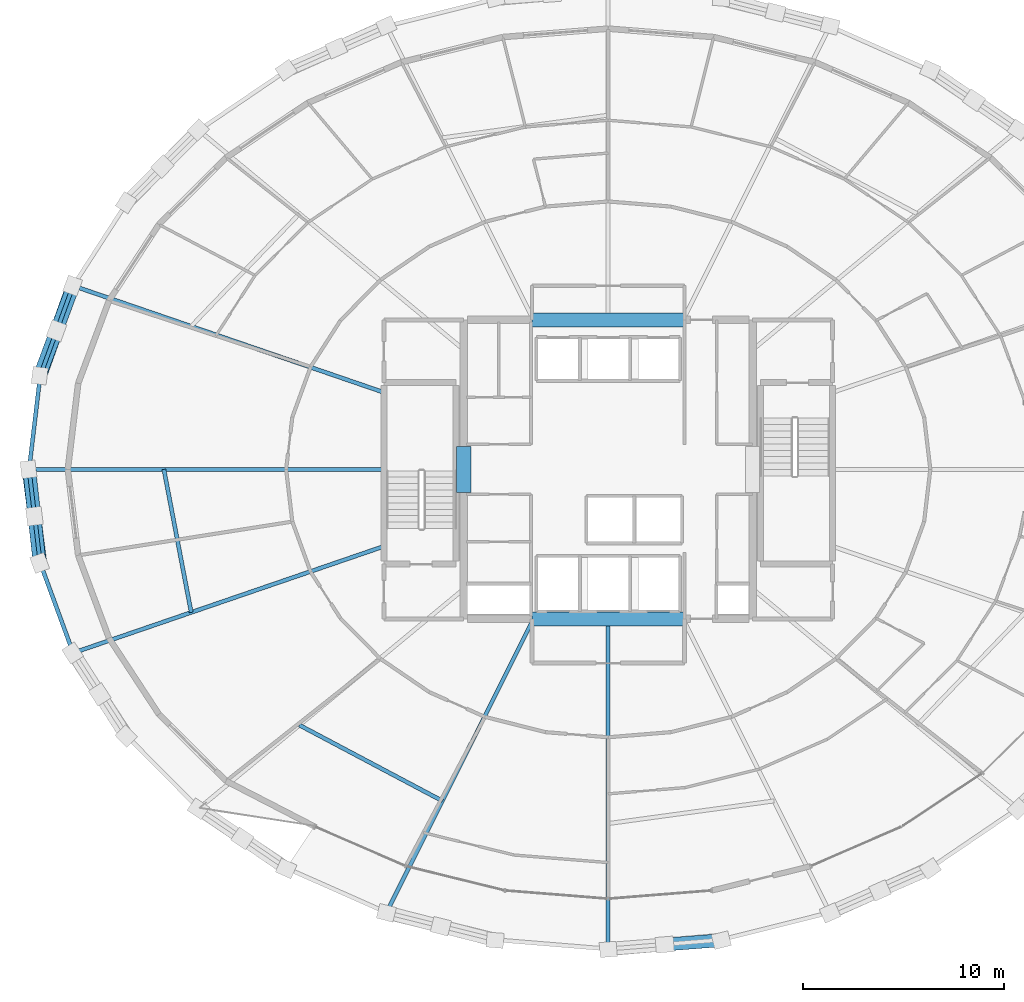
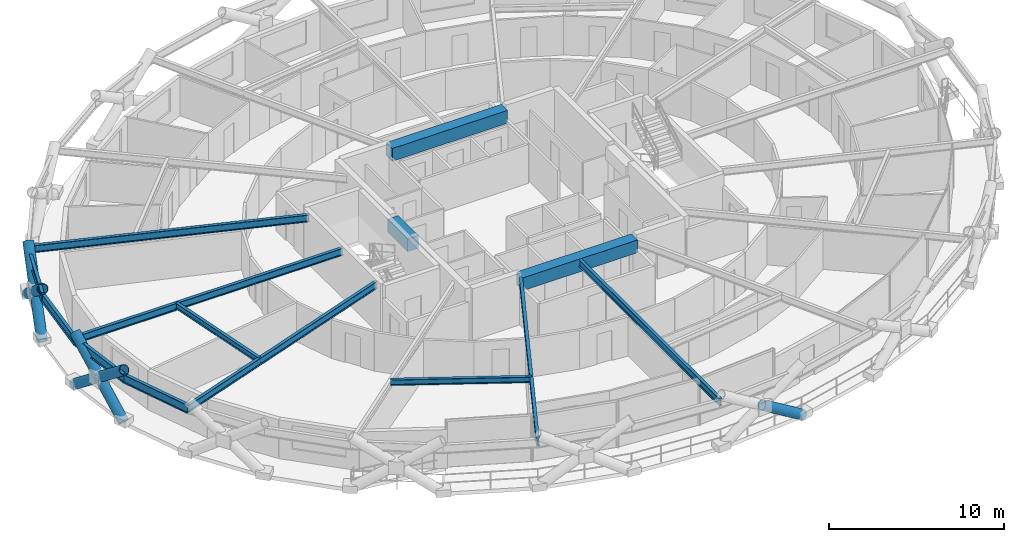
# One storey, part 5 of 23: 14 beams, 7 members.
"""IFC4 building model written with IfcOpenShell, lengths in metres."""

from ifc_helpers import new_model, si_unit, direction, frame, origin, origin_2d, place, context, subcontext, project, spatial, rectangle, hollow_circle, i_section, extrude, material, material_profile, profile_set, type_object, element, save


model = new_model("IFC4")

# Units and contexts
model_context = context("Model", 3, precision=1e-05, world=origin(), true_north=direction((0.0, 1.0)))
body_context = subcontext(model_context, "Body", "Model", "MODEL_VIEW")
ifc_project = project(units=[si_unit("LENGTHUNIT", "METRE"), si_unit("AREAUNIT", "SQUARE_METRE"), si_unit("VOLUMEUNIT", "CUBIC_METRE"), si_unit("PLANEANGLEUNIT", "RADIAN"), si_unit("MASSUNIT", "GRAM", prefix="KILO")], contexts=[model_context])

# Site, building, storey
site_placement = place(None, origin())
site = spatial("IfcSite", under=ifc_project, at=site_placement, CompositionType="ELEMENT")
building_placement = place(site_placement, origin())
building = spatial("IfcBuilding", under=site, at=building_placement, Name="Veldorina Hangang Commons", CompositionType="ELEMENT")
storey_placement = place(building_placement, frame((0.0, 0.0, 95.199951171875)))
storey = spatial("IfcBuildingStorey", under=building, at=storey_placement, Name="L24", CompositionType="ELEMENT", Elevation=95.199951171875)

# Beams
ifc_material_1 = material(Name="Concrete C70/85", Category="concrete")
ifc_material_profile_1 = material_profile(ifc_material_1, rectangle(XDim=0.699951171875, YDim=0.89990234375, at=origin_2d()), Name="RC-CB-700x900")
ifc_profile_set_1 = profile_set([ifc_material_profile_1], Name="Concrete C70/85")
beam_type_1 = type_object("IfcBeamType", Name="BM-CB900", PredefinedType="LINTEL", material=ifc_profile_set_1)
beam_1_placement = place(storey_placement, frame((24.800048828125, 22.85009765625, 2.89013671875), z_axis=(0.0, 1.0, 0.0), x_axis=(-1.0, 0.0, 0.0)))
element("IfcBeam", 1, at=beam_1_placement, inside=storey, type_object=beam_type_1, Name="L24 W core coupling lintel beam", PredefinedType="LINTEL", context=body_context, shape_type="SweptSolid", body=[
    extrude(rectangle(XDim=0.699951171875, YDim=0.89990234375, at=origin_2d()), origin(), (0.0, 0.0, 1.0), 2.2998046875),
])
for number, where, z_axis, x_axis, name in (
    (2, (28.199951171875, 16.550048828125, 2.89013671875), (1.0, 0.0, 0.0), (0.0, 1.0, 0.0), "L24 south core coupling beam"),
    (3, (28.199951171875, 31.449951171875, 2.89013671875), (1.0, 0.0, 0.0), (0.0, 1.0, 0.0), "L24 north core coupling beam"),
):
    element("IfcBeam", number, at=place(storey_placement, frame(where, z_axis=z_axis, x_axis=x_axis)), inside=storey, type_object=beam_type_1, Name=name, PredefinedType="LINTEL", context=body_context, shape_type="SweptSolid", body=[
        extrude(rectangle(XDim=0.699951171875, YDim=0.89990234375, at=origin_2d()), origin(), (0.0, 0.0, 1.0), 7.60009765625),
    ])
ifc_material_2 = material(Name="Steel SM420-TMC", Category="steel")
ifc_material_profile_2 = material_profile(ifc_material_2, i_section(OverallWidth=0.199951171875, OverallDepth=0.5, WebThickness=0.010009765625, FlangeThickness=0.01611328125, FilletRadius=0.01611328125, at=origin_2d()), Name="H-500x200x10x16")
ifc_profile_set_2 = profile_set([ifc_material_profile_2], Name="Steel SM420-TMC")
beam_type_2 = type_object("IfcBeamType", Name="BM-FG500", PredefinedType="BEAM", material=ifc_profile_set_2)
beam_2_placement = place(storey_placement, frame((20.820068359375, 27.835205078125, 3.090087890625), z_axis=(-0.94588644579, 0.324497814586, 0.0), x_axis=(-0.324497814586, -0.94588644579, 0.0)))
element("IfcBeam", 4, at=beam_2_placement, inside=storey, type_object=beam_type_2, Name="L24 radial floor girder 08", PredefinedType="BEAM", context=body_context, shape_type="SweptSolid", body=[
    extrude(i_section(OverallWidth=0.199951171875, OverallDepth=0.5, WebThickness=0.010009765625, FlangeThickness=0.01611328125, FilletRadius=0.01611328125, at=origin_2d()), origin(), (0.0, 0.0, 1.0), 16.369140625),
])
beam_3_placement = place(storey_placement, frame((20.820068359375, 24.0, 3.090087890625), z_axis=(-1.0, 0.0, 0.0), x_axis=(0.0, -1.0, 0.0)))
element("IfcBeam", 5, at=beam_3_placement, inside=storey, type_object=beam_type_2, Name="L24 radial floor girder 09", PredefinedType="BEAM", context=body_context, shape_type="SweptSolid", body=[
    extrude(i_section(OverallWidth=0.199951171875, OverallDepth=0.5, WebThickness=0.010009765625, FlangeThickness=0.01611328125, FilletRadius=0.01611328125, at=origin_2d()), origin(), (0.0, 0.0, 1.0), 17.680419921875),
])
beam_4_placement = place(storey_placement, frame((20.820068359375, 20.164794921875, 3.090087890625), z_axis=(-0.94588644579, -0.324497814586, 0.0), x_axis=(0.324497814586, -0.94588644579, 0.0)))
element("IfcBeam", 6, at=beam_4_placement, inside=storey, type_object=beam_type_2, Name="L24 radial floor girder 10", PredefinedType="BEAM", context=body_context, shape_type="SweptSolid", body=[
    extrude(i_section(OverallWidth=0.199951171875, OverallDepth=0.5, WebThickness=0.010009765625, FlangeThickness=0.01611328125, FilletRadius=0.01611328125, at=origin_2d()), origin(), (0.0, 0.0, 1.0), 16.369140625),
])
beam_5_placement = place(storey_placement, frame((28.27392578125, 16.550048828125, 3.090087890625), z_axis=(-0.447297158655, -0.894385404543, 0.0), x_axis=(0.894385404543, -0.447297158655, 0.0)))
element("IfcBeam", 7, at=beam_5_placement, inside=storey, type_object=beam_type_2, Name="L24 radial floor girder 12", PredefinedType="BEAM", context=body_context, shape_type="SweptSolid", body=[
    extrude(i_section(OverallWidth=0.199951171875, OverallDepth=0.5, WebThickness=0.010009765625, FlangeThickness=0.01611328125, FilletRadius=0.01611328125, at=origin_2d()), origin(), (0.0, 0.0, 1.0), 16.36083984375),
])
beam_6_placement = place(storey_placement, frame((32.0, 16.550048828125, 3.090087890625), z_axis=(0.0, -1.0, 0.0), x_axis=(1.0, 0.0, 0.0)))
element("IfcBeam", 8, at=beam_6_placement, inside=storey, type_object=beam_type_2, Name="L24 radial floor girder 13", PredefinedType="BEAM", context=body_context, shape_type="SweptSolid", body=[
    extrude(i_section(OverallWidth=0.199951171875, OverallDepth=0.5, WebThickness=0.010009765625, FlangeThickness=0.01611328125, FilletRadius=0.01611328125, at=origin_2d()), origin(), (0.0, 0.0, 1.0), 16.4521484375),
])
ifc_material_3 = material(Name="Steel SM355-TMC", Category="steel")
ifc_material_profile_3 = material_profile(ifc_material_3, i_section(OverallWidth=0.199951171875, OverallDepth=0.39990234375, WebThickness=0.008056640625, FlangeThickness=0.012939453125, FilletRadius=0.012939453125, at=origin_2d()), Name="H-400x200x8x13")
ifc_profile_set_3 = profile_set([ifc_material_profile_3], Name="Steel SM355-TMC")
beam_type_3 = type_object("IfcBeamType", Name="BM-JST400", PredefinedType="JOIST", material=ifc_profile_set_3)
beam_7_placement = place(storey_placement, frame((9.858154296875, 24.0, 3.14013671875), z_axis=(0.187673197187, -0.982231526198, 0.0), x_axis=(0.982231526198, 0.187673197187, 0.0)))
element("IfcBeam", 9, at=beam_7_placement, inside=storey, type_object=beam_type_3, Name="L24 secondary floor joist 09", PredefinedType="JOIST", context=body_context, shape_type="SweptSolid", body=[
    extrude(i_section(OverallWidth=0.199951171875, OverallDepth=0.39990234375, WebThickness=0.008056640625, FlangeThickness=0.012939453125, FilletRadius=0.012939453125, at=origin_2d()), origin(), (0.0, 0.0, 1.0), 7.257568359375),
])
beam_8_placement = place(storey_placement, frame((16.611572265625, 11.255126953125, 3.14013671875), z_axis=(0.883523416585, -0.46838698994, 0.0), x_axis=(0.46838698994, 0.883523416585, 0.0)))
element("IfcBeam", 10, at=beam_8_placement, inside=storey, type_object=beam_type_3, Name="L24 secondary floor joist 11", PredefinedType="JOIST", context=body_context, shape_type="SweptSolid", body=[
    extrude(i_section(OverallWidth=0.199951171875, OverallDepth=0.39990234375, WebThickness=0.008056640625, FlangeThickness=0.012939453125, FilletRadius=0.012939453125, at=origin_2d()), origin(), (0.0, 0.0, 1.0), 8.064697265625),
])
ifc_material_profile_4 = material_profile(ifc_material_2, i_section(OverallWidth=0.199951171875, OverallDepth=0.60009765625, WebThickness=0.010986328125, FlangeThickness=0.01708984375, FilletRadius=0.01806640625, at=origin_2d()), Name="H-600x200x11x17")
ifc_profile_set_4 = profile_set([ifc_material_profile_4], Name="Steel SM420-TMC")
beam_type_4 = type_object("IfcBeamType", Name="BM-RB600", PredefinedType="BEAM", material=ifc_profile_set_4)
beam_9_placement = place(storey_placement, frame((5.336669921875, 33.14697265625, 3.0400390625), z_axis=(-0.343975218969, -0.938978726455, 0.0), x_axis=(0.938978726455, -0.343975218969, 0.0)))
element("IfcBeam", 11, at=beam_9_placement, inside=storey, type_object=beam_type_4, Name="L24 perimeter hoop ring beam 14", PredefinedType="BEAM", context=body_context, shape_type="SweptSolid", body=[
    extrude(i_section(OverallWidth=0.199951171875, OverallDepth=0.60009765625, WebThickness=0.010986328125, FlangeThickness=0.01708984375, FilletRadius=0.01806640625, at=origin_2d()), origin(), (0.0, 0.0, 1.0), 4.775390625),
])
for number, where, z_axis, x_axis, name in (
    (12, (3.694091796875, 28.6630859375, 3.0400390625), (-0.118068863104, -0.993005409636, 0.0), (0.993005409636, -0.118068863104, 0.0), "L24 perimeter hoop ring beam 15"),
    (13, (3.1396484375, 24.0, 3.0400390625), (0.118068863104, -0.993005409636, 0.0), (0.993005409636, 0.118068863104, 0.0), "L24 perimeter hoop ring beam 16"),
):
    element("IfcBeam", number, at=place(storey_placement, frame(where, z_axis=z_axis, x_axis=x_axis)), inside=storey, type_object=beam_type_4, Name=name, PredefinedType="BEAM", context=body_context, shape_type="SweptSolid", body=[
        extrude(i_section(OverallWidth=0.199951171875, OverallDepth=0.60009765625, WebThickness=0.010986328125, FlangeThickness=0.01708984375, FilletRadius=0.01806640625, at=origin_2d()), origin(), (0.0, 0.0, 1.0), 4.696044921875),
    ])
beam_10_placement = place(storey_placement, frame((3.694091796875, 19.3369140625, 3.0400390625), z_axis=(0.343975218969, -0.938978726455, 0.0), x_axis=(0.938978726455, 0.343975218969, 0.0)))
element("IfcBeam", 14, at=beam_10_placement, inside=storey, type_object=beam_type_4, Name="L24 perimeter hoop ring beam 17", PredefinedType="BEAM", context=body_context, shape_type="SweptSolid", body=[
    extrude(i_section(OverallWidth=0.199951171875, OverallDepth=0.60009765625, WebThickness=0.010986328125, FlangeThickness=0.01708984375, FilletRadius=0.01806640625, at=origin_2d()), origin(), (0.0, 0.0, 1.0), 4.775390625),
])

# Members
ifc_material_4 = material(Name="Steel SM460-TMC", Category="steel")
ifc_material_profile_5 = material_profile(ifc_material_4, hollow_circle(Radius=0.324951171875, WallThickness=0.031982421875, at=origin_2d()), Name="CHS-650x32")
ifc_profile_set_5 = profile_set([ifc_material_profile_5], Name="Steel SM460-TMC")
member_type = type_object("IfcMemberType", Name="DG-CHS650", PredefinedType="BRACE", material=ifc_profile_set_5)
member_1_placement = place(storey_placement, frame((5.31005859375, 33.15478515625, 0.0), z_axis=(-0.269419814945, -0.751492195664, 0.602222918171), x_axis=(0.941332658397, -0.337480112355, 0.0)))
element("IfcMember", 15, at=member_1_placement, inside=storey, type_object=member_type, Name="L24 continuous perimeter diagrid brace 14", PredefinedType="BRACE", context=body_context, shape_type="SweptSolid", body=[
    extrude(hollow_circle(Radius=0.324951171875, WallThickness=0.031982421875, at=origin_2d()), origin(), (0.0, 0.0, 1.0), 5.97802734375),
])
member_2_placement = place(storey_placement, frame((3.666015625, 28.6669921875, 0.0), z_axis=(0.279984075918, 0.748227683372, 0.601468412361), x_axis=(-0.936576398138, 0.350463479482, 0.0)))
element("IfcMember", 16, at=member_2_placement, inside=storey, type_object=member_type, Name="L24 split perimeter diagrid lower brace 15", PredefinedType="BRACE", context=body_context, shape_type="SweptSolid", body=[
    extrude(hollow_circle(Radius=0.324951171875, WallThickness=0.031982421875, at=origin_2d()), origin(), (0.0, 0.0, 1.0), 2.994384765625),
])
member_3_placement = place(storey_placement, frame((4.50439453125, 30.907470703125, 1.801025390625), z_axis=(0.279888907938, 0.748247774589, 0.601487711459), x_axis=(-0.936618581856, 0.350350727303, 0.0)))
element("IfcMember", 17, at=member_3_placement, inside=storey, type_object=member_type, Name="L24 split perimeter diagrid upper brace 15", PredefinedType="BRACE", context=body_context, shape_type="SweptSolid", body=[
    extrude(hollow_circle(Radius=0.324951171875, WallThickness=0.031982421875, at=origin_2d()), origin(), (0.0, 0.0, 1.0), 2.990966796875),
])
member_4_placement = place(storey_placement, frame((3.11083984375, 24.0, 0.0), z_axis=(0.099431951212, -0.787578586603, 0.608139175685), x_axis=(0.992124466651, 0.125255908734, 0.0)))
element("IfcMember", 18, at=member_4_placement, inside=storey, type_object=member_type, Name="L24 continuous perimeter diagrid brace 16", PredefinedType="BRACE", context=body_context, shape_type="SweptSolid", body=[
    extrude(hollow_circle(Radius=0.324951171875, WallThickness=0.031982421875, at=origin_2d()), origin(), (0.0, 0.0, 1.0), 5.919921875),
])
member_5_placement = place(storey_placement, frame((3.666015625, 19.3330078125, 0.0), z_axis=(-0.088089373499, 0.788680327148, 0.608460026498), x_axis=(-0.993820196411, -0.11100187929, 0.0)))
element("IfcMember", 19, at=member_5_placement, inside=storey, type_object=member_type, Name="L24 split perimeter diagrid lower brace 17", PredefinedType="BRACE", context=body_context, shape_type="SweptSolid", body=[
    extrude(hollow_circle(Radius=0.324951171875, WallThickness=0.031982421875, at=origin_2d()), origin(), (0.0, 0.0, 1.0), 2.9599609375),
])
member_6_placement = place(storey_placement, frame((3.4052734375, 21.66748046875, 1.801025390625), z_axis=(-0.088006823259, 0.788759089507, 0.608369869225), x_axis=(-0.99383288697, -0.110888199446, 0.0)))
element("IfcMember", 20, at=member_6_placement, inside=storey, type_object=member_type, Name="L24 split perimeter diagrid upper brace 17", PredefinedType="BRACE", context=body_context, shape_type="SweptSolid", body=[
    extrude(hollow_circle(Radius=0.324951171875, WallThickness=0.031982421875, at=origin_2d()), origin(), (0.0, 0.0, 1.0), 2.957275390625),
])
member_7_placement = place(storey_placement, frame((37.635986328125, 0.537353515625, 0.0), z_axis=(-0.840930351134, -0.065023015288, 0.537222627991), x_axis=(0.077092594696, -0.997023937447, 0.0)))
element("IfcMember", 21, at=member_7_placement, inside=storey, type_object=member_type, Name="L24 split perimeter diagrid lower brace 25", PredefinedType="BRACE", context=body_context, shape_type="SweptSolid", body=[
    extrude(hollow_circle(Radius=0.324951171875, WallThickness=0.031982421875, at=origin_2d()), origin(), (0.0, 0.0, 1.0), 3.35302734375),
])

save(model, "model.ifc")
